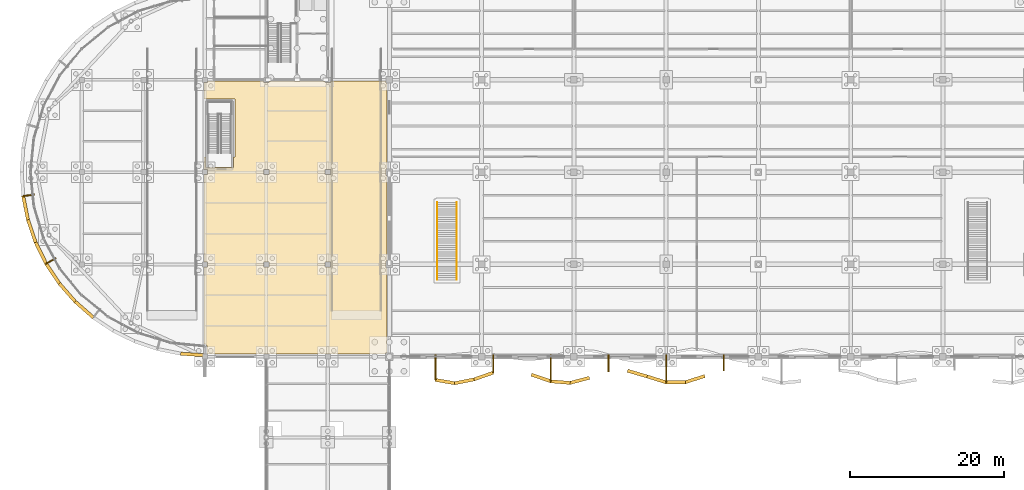
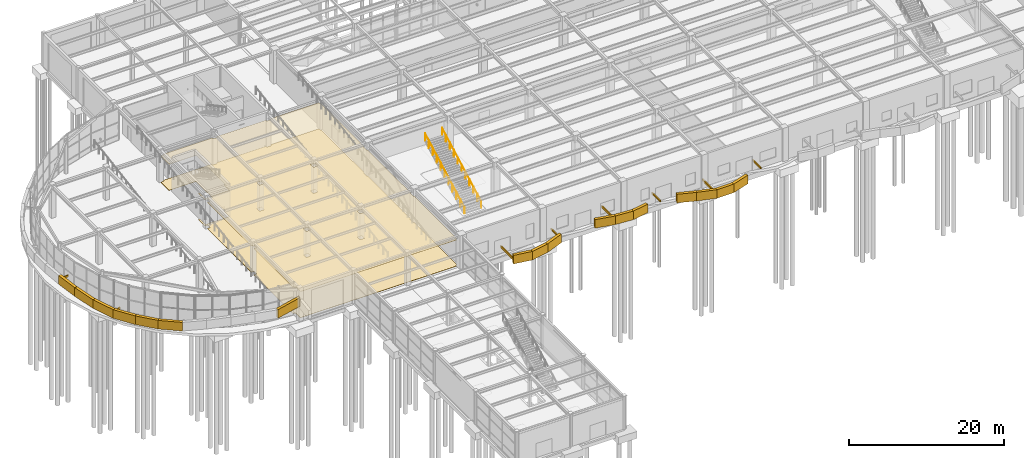
# One storey, part 74 of 85: 27 coverings, 2 railings.
"""IFC4 building model written with IfcOpenShell, lengths in metres."""

import ifcopenshell
import ifcopenshell.guid

model = None  # the IFC model being written
_history = None  # IfcOwnerHistory: only IFC2X3 demands one
_inside = {}  # id of a spatial element -> (the spatial element, [elements in it])
_under = {}  # id of a project, library or spatial element -> (it, [spatial elements below it])
_declared = {}  # id of a project -> (the project, [libraries it declares])
_typed = {}  # id of a type object -> (the type object, [elements of that type])
_made_of = {}  # id of a material, layer set ... -> (it, [elements and type objects made of it])


def new_model(schema):
    """Start an empty IFC model of exactly this schema.

    Asked for "IFC4X3", IfcOpenShell would pick the latest addendum, in which some entities
    have other attributes; the version numbers below select the first issue.
    IFC2X3 requires an IfcOwnerHistory on every rooted entity: one is made here for all.
    """
    global model, _history
    if schema == "IFC4X3":
        model = ifcopenshell.file(schema_version=(4, 3, 0, 0))
    else:
        model = ifcopenshell.file(schema=schema)
    _inside.clear()
    _under.clear()
    _declared.clear()
    _typed.clear()
    _made_of.clear()
    _history = None
    if model.schema == "IFC2X3":
        org = make("IfcOrganization", Name="unknown")
        user = make(
            "IfcPersonAndOrganization",
            ThePerson=make("IfcPerson", FamilyName="unknown"),
            TheOrganization=org,
        )
        app = make(
            "IfcApplication",
            ApplicationDeveloper=org,
            Version="unknown",
            ApplicationFullName="unknown",
            ApplicationIdentifier="unknown",
        )
        _history = make(
            "IfcOwnerHistory",
            OwningUser=user,
            OwningApplication=app,
            ChangeAction="ADDED",
            CreationDate=0,
        )
    return model


def make(cls, **values):
    """One entity of the class cls with the attributes given. An attribute that is None is left unset."""
    return model.create_entity(
        cls, **{name: value for name, value in values.items() if value is not None}
    )


def rooted(cls, **values):
    """An entity with a GlobalId (a new one), such as an element, a storey or a relation."""
    return make(cls, GlobalId=ifcopenshell.guid.new(), OwnerHistory=_history, **values)


def si_unit(unit_type, name, prefix=None):
    """IfcSIUnit, for example si_unit("LENGTHUNIT", "METRE", prefix="MILLI")."""
    return make("IfcSIUnit", UnitType=unit_type, Prefix=prefix, Name=name)


def assignment(units):
    """IfcUnitAssignment: the units of a project."""
    return None if units is None else make("IfcUnitAssignment", Units=units)


def point(xyz):
    """IfcCartesianPoint."""
    return None if xyz is None else make("IfcCartesianPoint", Coordinates=xyz)


def direction(xyz):
    """IfcDirection."""
    return None if xyz is None else make("IfcDirection", DirectionRatios=xyz)


def frame(location, z_axis=None, x_axis=None):
    """IfcAxis2Placement3D, a coordinate frame: its origin and axes. An axis left out is left unset."""
    return make(
        "IfcAxis2Placement3D",
        Location=point(location),
        Axis=direction(z_axis),
        RefDirection=direction(x_axis),
    )


def frame_2d(location, x_axis=None):
    """IfcAxis2Placement2D, a coordinate frame in the plane: its origin and x axis."""
    return make(
        "IfcAxis2Placement2D", Location=point(location), RefDirection=direction(x_axis)
    )


def origin():
    """The frame at (0, 0, 0) with its axes left unset."""
    return frame((0.0, 0.0, 0.0))


def origin_2d():
    """The frame at (0, 0) in the plane with its x axis left unset."""
    return frame_2d((0.0, 0.0))


def place(relative_to, where):
    """IfcLocalPlacement: puts the frame where relative to a parent placement (None: the world)."""
    return make(
        "IfcLocalPlacement", PlacementRelTo=relative_to, RelativePlacement=where
    )


def context(
    kind, dimensions, precision=None, world=None, true_north=None, identifier=None
):
    """IfcGeometricRepresentationContext, for example the 3D "Model" context."""
    return make(
        "IfcGeometricRepresentationContext",
        ContextIdentifier=identifier,
        ContextType=kind,
        CoordinateSpaceDimension=dimensions,
        Precision=precision,
        WorldCoordinateSystem=world,
        TrueNorth=true_north,
    )


def subcontext(parent, identifier, kind, view, scale=None):
    """IfcGeometricRepresentationSubContext, for example "Body" below "Model"."""
    return make(
        "IfcGeometricRepresentationSubContext",
        ContextIdentifier=identifier,
        ContextType=kind,
        ParentContext=parent,
        TargetScale=scale,
        TargetView=view,
    )


def project(units=None, contexts=None):
    """IfcProject with its units and contexts."""
    return rooted(
        "IfcProject",
        Name="project",
        RepresentationContexts=contexts,
        UnitsInContext=assignment(units),
    )


def spatial(cls, under=None, at=None, **own):
    """A site, building, storey or space (cls), placed at a placement, below another one or the project."""
    s = rooted(cls, ObjectPlacement=at, **own)
    if under is not None:
        _under.setdefault(under.id(), (under, []))[1].append(s)
    return s


def polyline(points):
    """IfcPolyline through the points."""
    return make("IfcPolyline", Points=[point(p) for p in points])


def profile(cls, at=None, kind="AREA", **sizes):
    """A parametric profile (cls). Its sizes go by their IFC names, for example OverallWidth=200.0."""
    return make(cls, ProfileType=kind, Position=at, **sizes)


def rectangle(**sizes):
    """IfcRectangleProfileDef."""
    return profile("IfcRectangleProfileDef", **sizes)


def circle(**sizes):
    """IfcCircleProfileDef."""
    return profile("IfcCircleProfileDef", **sizes)


def outline(outer, holes=None, kind="AREA"):
    """IfcArbitraryClosedProfileDef: a profile drawn as a closed curve; with holes, ...WithVoids."""
    if holes is None:
        return make("IfcArbitraryClosedProfileDef", ProfileType=kind, OuterCurve=outer)
    return make(
        "IfcArbitraryProfileDefWithVoids",
        ProfileType=kind,
        OuterCurve=outer,
        InnerCurves=holes,
    )


def extrude(swept, where, along, depth):
    """IfcExtrudedAreaSolid: the profile swept, set in the frame where, extruded along a direction by depth."""
    return make(
        "IfcExtrudedAreaSolid",
        SweptArea=swept,
        Position=where,
        ExtrudedDirection=direction(along),
        Depth=depth,
    )


def shape(context_of_items, identifier, shape_type, items):
    """IfcShapeRepresentation: the items that make up one representation, for example the "Body"."""
    return make(
        "IfcShapeRepresentation",
        ContextOfItems=context_of_items,
        RepresentationIdentifier=identifier,
        RepresentationType=shape_type,
        Items=items,
    )


def material(Name=None, Category=None):
    """IfcMaterial."""
    return make("IfcMaterial", Name=Name, Category=Category)


def layer(
    of_material, thickness, ventilated=None, Name=None, Category=None, Priority=None
):
    """IfcMaterialLayer: one layer of a wall or slab, of a material (None: an air gap)."""
    return make(
        "IfcMaterialLayer",
        Material=of_material,
        LayerThickness=thickness,
        IsVentilated=ventilated,
        Name=Name,
        Category=Category,
        Priority=Priority,
    )


def layer_set(layers, Name=None):
    """IfcMaterialLayerSet."""
    return make("IfcMaterialLayerSet", MaterialLayers=layers, LayerSetName=Name)


def made_of(thing, what):
    """Note that an element or type object is made of a material, layer set ...; save() writes the relation."""
    if what is not None:
        _made_of.setdefault(what.id(), (what, []))[1].append(thing)
    return thing


def type_object(cls, material=None, **own):
    """A type object (cls), such as IfcWallType, which elements share."""
    return made_of(rooted(cls, **own), material)


def element(
    cls,
    number,
    at=None,
    inside=None,
    cuts=None,
    type_object=None,
    material=None,
    context=None,
    identifier="Body",
    shape_type=None,
    held_by="IfcProductDefinitionShape",
    body=None,
    shapes=None,
    **own,
):
    """One element of the class cls, such as IfcWall. Its Tag is "e" and its number.

    at: its placement. inside: the storey or other place that contains it. cuts: it is an
    opening in that element (IfcRelVoidsElement). A single representation is given by context,
    identifier, shape_type and body (its items); several are given by shapes. held_by: the class
    of the entity that holds the representations. save() writes the other relations.
    """
    e = rooted(cls, Tag="e%d" % number, ObjectPlacement=at, **own)
    if body is not None:
        shapes = [shape(context, identifier, shape_type, body)]
    if shapes is not None:
        e.Representation = make(held_by, Representations=shapes)
    if inside is not None:
        _inside.setdefault(inside.id(), (inside, []))[1].append(e)
    if cuts is not None:
        rooted(
            "IfcRelVoidsElement", RelatingBuildingElement=cuts, RelatedOpeningElement=e
        )
    if type_object is not None:
        _typed.setdefault(type_object.id(), (type_object, []))[1].append(e)
    return made_of(e, material)


def aggregate(whole, parts):
    """IfcRelAggregates: a whole, such as a stair, and the parts it consists of."""
    return rooted("IfcRelAggregates", RelatingObject=whole, RelatedObjects=parts)


def save(model, path):
    """Write the relations noted so far, then the file.

    IfcRelAggregates (storeys below a building ...), IfcRelContainedInSpatialStructure (elements
    in a storey), IfcRelDefinesByType, IfcRelAssociatesMaterial and IfcRelDeclares: one each for
    every whole, place, type object, material and project.
    """
    for whole, parts in _under.values():
        aggregate(whole, parts)
    for where, things in _inside.values():
        rooted(
            "IfcRelContainedInSpatialStructure",
            RelatedElements=things,
            RelatingStructure=where,
        )
    for kind, things in _typed.values():
        rooted("IfcRelDefinesByType", RelatedObjects=things, RelatingType=kind)
    for what, things in _made_of.values():
        rooted("IfcRelAssociatesMaterial", RelatedObjects=things, RelatingMaterial=what)
    for by, libraries in _declared.values():
        rooted("IfcRelDeclares", RelatingContext=by, RelatedDefinitions=libraries)
    model.write(path)


model = new_model("IFC4")

# Units and contexts
model_context = context("Model", 3, precision=1e-05, world=origin(), true_north=direction((0.0, 1.0)))
body_context = subcontext(model_context, "Body", "Model", "MODEL_VIEW")
ifc_project = project(units=[si_unit("LENGTHUNIT", "METRE"), si_unit("AREAUNIT", "SQUARE_METRE"), si_unit("VOLUMEUNIT", "CUBIC_METRE"), si_unit("PLANEANGLEUNIT", "RADIAN"), si_unit("MASSUNIT", "GRAM", prefix="KILO")], contexts=[model_context])

# Site, building, storey
site_placement = place(None, origin())
site = spatial("IfcSite", under=ifc_project, at=site_placement, CompositionType="ELEMENT")
building_placement = place(site_placement, origin())
building = spatial("IfcBuilding", under=site, at=building_placement, Name="Keelwater Ferry Terminal", CompositionType="ELEMENT")
storey_placement = place(building_placement, origin())
storey = spatial("IfcBuildingStorey", under=building, at=storey_placement, Name="L00", CompositionType="ELEMENT", Elevation=0.0)

# Coverings
ifc_material_1 = material(Name="Perforated acoustic gypsum board ceiling", Category="gypsum")
ifc_layer_1 = layer(ifc_material_1, 0.044921875)
ifc_layer_set_1 = layer_set([ifc_layer_1], Name="Perforated acoustic gypsum board ceiling")
covering_type_1 = type_object("IfcCoveringType", Name="CL-AC Acoustic Baffle Ceiling", PredefinedType="CEILING", material=ifc_layer_set_1)
covering_1_placement = place(storey_placement, frame((0.0, 0.0, 4.10009765625)))
element("IfcCovering", 1, at=covering_1_placement, inside=storey, type_object=covering_type_1, Name="Ro-Pax Freight Marshalling Lanes Acoustic Ceiling", PredefinedType="CEILING", context=body_context, shape_type="SweptSolid", body=[
    extrude(outline(polyline([(31.6650390625, 77.87890625), (31.6650390625, 77.6650390625), (32.3349609375, 77.6650390625), (32.3349609375, 77.87890625), (32.3369140625, 77.8798828125), (32.344970703125, 77.8798828125), (39.655029296875, 77.8798828125), (39.6630859375, 77.8798828125), (39.6650390625, 77.87890625), (39.6650390625, 77.6650390625), (40.3349609375, 77.6650390625), (40.3349609375, 77.87890625), (40.3369140625, 77.8798828125), (40.344970703125, 77.8798828125), (47.554931640625, 77.8798828125), (47.56298828125, 77.8798828125), (47.56494140625, 77.87890625), (47.56494140625, 77.56494140625), (47.678955078125, 77.56494140625), (47.679931640625, 77.56298828125), (47.679931640625, 77.554931640625), (47.679931640625, 66.445068359375), (47.679931640625, 66.43701171875), (47.678955078125, 66.43505859375), (47.56494140625, 66.43505859375), (47.56494140625, 65.56494140625), (47.678955078125, 65.56494140625), (47.679931640625, 65.56298828125), (47.679931640625, 65.554931640625), (47.679931640625, 54.445068359375), (47.679931640625, 54.43701171875), (47.678955078125, 54.43505859375), (47.56494140625, 54.43505859375), (47.56494140625, 53.56494140625), (47.678955078125, 53.56494140625), (47.679931640625, 53.56298828125), (47.679931640625, 53.554931640625), (47.679931640625, 42.52001953125), (47.679931640625, 42.511962890625), (47.678955078125, 42.510009765625), (47.489990234375, 42.510009765625), (47.489990234375, 42.321044921875), (47.488037109375, 42.320068359375), (47.47998046875, 42.320068359375), (40.3349609375, 42.320068359375), (40.3349609375, 42.3349609375), (39.6650390625, 42.3349609375), (39.6650390625, 42.320068359375), (32.3349609375, 42.320068359375), (32.3349609375, 42.3349609375), (31.6650390625, 42.3349609375), (31.6650390625, 42.320068359375), (24.360107421875, 42.320068359375), (24.35205078125, 42.320068359375), (24.343994140625, 42.322021484375), (24.3369140625, 42.322998046875), (24.3349609375, 42.323974609375), (24.3349609375, 42.3349609375), (24.31396484375, 42.3349609375), (24.30908203125, 42.337890625), (24.302978515625, 42.343017578125), (24.298095703125, 42.34912109375), (24.29296875, 42.35595703125), (24.2890625, 42.362060546875), (24.285888671875, 42.368896484375), (24.282958984375, 42.376953125), (24.281982421875, 42.384033203125), (24.280029296875, 42.39208984375), (24.280029296875, 42.39990234375), (24.280029296875, 43.343994140625), (24.26708984375, 43.430908203125), (24.23193359375, 43.5048828125), (24.177001953125, 43.56591796875), (24.10498046875, 43.60888671875), (24.053955078125, 43.6240234375), (23.989990234375, 43.633056640625), (23.98193359375, 43.634033203125), (23.97509765625, 43.635986328125), (23.968017578125, 43.638916015625), (23.9609375, 43.64208984375), (23.9541015625, 43.64599609375), (23.947998046875, 43.65087890625), (23.943115234375, 43.656005859375), (23.93701171875, 43.662109375), (23.93310546875, 43.66796875), (23.928955078125, 43.675048828125), (23.926025390625, 43.681884765625), (23.923095703125, 43.68896484375), (23.9208984375, 43.697021484375), (23.919921875, 43.7041015625), (23.919921875, 43.7119140625), (23.919921875, 53.655029296875), (23.919921875, 53.6630859375), (23.9208984375, 53.6650390625), (24.3349609375, 53.6650390625), (24.3349609375, 54.3349609375), (23.9208984375, 54.3349609375), (23.919921875, 54.3369140625), (23.919921875, 54.344970703125), (23.919921875, 65.655029296875), (23.919921875, 65.6630859375), (23.9208984375, 65.6650390625), (24.3349609375, 65.6650390625), (24.3349609375, 66.3349609375), (23.9208984375, 66.3349609375), (23.919921875, 66.3369140625), (23.919921875, 66.344970703125), (23.919921875, 68.0), (24.179931640625, 68.0), (24.179931640625, 66.580078125), (27.719970703125, 66.580078125), (27.719970703125, 68.0), (27.93994140625, 68.0), (27.93994140625, 75.5400390625), (23.919921875, 75.5400390625), (23.919921875, 77.655029296875), (23.919921875, 77.6630859375), (23.9208984375, 77.6650390625), (24.3349609375, 77.6650390625), (24.3349609375, 77.87890625), (24.3369140625, 77.8798828125), (24.344970703125, 77.8798828125), (31.655029296875, 77.8798828125), (31.6630859375, 77.8798828125), (31.6650390625, 77.87890625)]), holes=[polyline([(32.3349609375, 54.3349609375), (31.6650390625, 54.3349609375), (31.6650390625, 53.6650390625), (32.3349609375, 53.6650390625), (32.3349609375, 54.3349609375)]), polyline([(31.6650390625, 66.3349609375), (31.6650390625, 65.6650390625), (32.3349609375, 65.6650390625), (32.3349609375, 66.3349609375), (31.6650390625, 66.3349609375)]), polyline([(40.3349609375, 54.3349609375), (39.6650390625, 54.3349609375), (39.6650390625, 53.6650390625), (40.3349609375, 53.6650390625), (40.3349609375, 54.3349609375)]), polyline([(40.3349609375, 66.3349609375), (39.6650390625, 66.3349609375), (39.6650390625, 65.6650390625), (40.3349609375, 65.6650390625), (40.3349609375, 66.3349609375)])]), origin(), (0.0, 0.0, 1.0), 0.044921875),
])
ifc_material_2 = material(Name="Polished mineral terrazzo tile", Category="stone")
ifc_layer_2 = layer(ifc_material_2, 0.030029296875)
ifc_layer_set_2 = layer_set([ifc_layer_2], Name="Polished mineral terrazzo tile")
covering_type_2 = type_object("IfcCoveringType", Name="FL-TZ Marine Terrazzo Flooring", PredefinedType="FLOORING", material=ifc_layer_set_2)
covering_2_placement = place(storey_placement, origin())
element("IfcCovering", 2, at=covering_2_placement, inside=storey, type_object=covering_type_2, Name="Ro-Pax Freight Marshalling Lanes Terrazzo Floor", PredefinedType="FLOORING", context=body_context, shape_type="SweptSolid", body=[
    extrude(outline(polyline([(31.6650390625, 77.87890625), (31.6650390625, 77.6650390625), (32.3349609375, 77.6650390625), (32.3349609375, 77.87890625), (32.3369140625, 77.8798828125), (32.344970703125, 77.8798828125), (39.655029296875, 77.8798828125), (39.6630859375, 77.8798828125), (39.6650390625, 77.87890625), (39.6650390625, 77.6650390625), (40.3349609375, 77.6650390625), (40.3349609375, 77.87890625), (40.3369140625, 77.8798828125), (40.344970703125, 77.8798828125), (47.554931640625, 77.8798828125), (47.56298828125, 77.8798828125), (47.56494140625, 77.87890625), (47.56494140625, 77.56494140625), (47.678955078125, 77.56494140625), (47.679931640625, 77.56298828125), (47.679931640625, 77.554931640625), (47.679931640625, 66.445068359375), (47.679931640625, 66.43701171875), (47.678955078125, 66.43505859375), (47.56494140625, 66.43505859375), (47.56494140625, 65.56494140625), (47.678955078125, 65.56494140625), (47.679931640625, 65.56298828125), (47.679931640625, 65.554931640625), (47.679931640625, 54.445068359375), (47.679931640625, 54.43701171875), (47.678955078125, 54.43505859375), (47.56494140625, 54.43505859375), (47.56494140625, 53.56494140625), (47.678955078125, 53.56494140625), (47.679931640625, 53.56298828125), (47.679931640625, 53.554931640625), (47.679931640625, 42.52001953125), (47.679931640625, 42.511962890625), (47.678955078125, 42.510009765625), (47.489990234375, 42.510009765625), (47.489990234375, 42.321044921875), (47.488037109375, 42.320068359375), (47.47998046875, 42.320068359375), (40.3349609375, 42.320068359375), (40.3349609375, 42.3349609375), (39.6650390625, 42.3349609375), (39.6650390625, 42.320068359375), (32.3349609375, 42.320068359375), (32.3349609375, 42.3349609375), (31.6650390625, 42.3349609375), (31.6650390625, 42.320068359375), (24.360107421875, 42.320068359375), (24.35205078125, 42.320068359375), (24.343994140625, 42.322021484375), (24.3369140625, 42.322998046875), (24.3349609375, 42.323974609375), (24.3349609375, 42.3349609375), (24.31396484375, 42.3349609375), (24.30908203125, 42.337890625), (24.302978515625, 42.343017578125), (24.298095703125, 42.34912109375), (24.29296875, 42.35595703125), (24.2890625, 42.362060546875), (24.285888671875, 42.368896484375), (24.282958984375, 42.376953125), (24.281982421875, 42.384033203125), (24.280029296875, 42.39208984375), (24.280029296875, 42.39990234375), (24.280029296875, 43.343994140625), (24.26708984375, 43.430908203125), (24.23193359375, 43.5048828125), (24.177001953125, 43.56591796875), (24.10498046875, 43.60888671875), (24.053955078125, 43.6240234375), (23.989990234375, 43.633056640625), (23.98193359375, 43.634033203125), (23.97509765625, 43.635986328125), (23.968017578125, 43.638916015625), (23.9609375, 43.64208984375), (23.9541015625, 43.64599609375), (23.947998046875, 43.65087890625), (23.943115234375, 43.656005859375), (23.93701171875, 43.662109375), (23.93310546875, 43.66796875), (23.928955078125, 43.675048828125), (23.926025390625, 43.681884765625), (23.923095703125, 43.68896484375), (23.9208984375, 43.697021484375), (23.919921875, 43.7041015625), (23.919921875, 43.7119140625), (23.919921875, 53.655029296875), (23.919921875, 53.6630859375), (23.9208984375, 53.6650390625), (24.3349609375, 53.6650390625), (24.3349609375, 54.3349609375), (23.9208984375, 54.3349609375), (23.919921875, 54.3369140625), (23.919921875, 54.344970703125), (23.919921875, 65.655029296875), (23.919921875, 65.6630859375), (23.9208984375, 65.6650390625), (24.3349609375, 65.6650390625), (24.3349609375, 66.3349609375), (23.9208984375, 66.3349609375), (23.919921875, 66.3369140625), (23.919921875, 66.344970703125), (23.919921875, 68.0), (24.179931640625, 68.0), (24.179931640625, 66.580078125), (27.719970703125, 66.580078125), (27.719970703125, 68.0), (27.93994140625, 68.0), (27.93994140625, 75.5400390625), (23.919921875, 75.5400390625), (23.919921875, 77.655029296875), (23.919921875, 77.6630859375), (23.9208984375, 77.6650390625), (24.3349609375, 77.6650390625), (24.3349609375, 77.87890625), (24.3369140625, 77.8798828125), (24.344970703125, 77.8798828125), (31.655029296875, 77.8798828125), (31.6630859375, 77.8798828125), (31.6650390625, 77.87890625)]), holes=[polyline([(32.3349609375, 54.3349609375), (31.6650390625, 54.3349609375), (31.6650390625, 53.6650390625), (32.3349609375, 53.6650390625), (32.3349609375, 54.3349609375)]), polyline([(31.6650390625, 66.3349609375), (31.6650390625, 65.6650390625), (32.3349609375, 65.6650390625), (32.3349609375, 66.3349609375), (31.6650390625, 66.3349609375)]), polyline([(40.3349609375, 54.3349609375), (39.6650390625, 54.3349609375), (39.6650390625, 53.6650390625), (40.3349609375, 53.6650390625), (40.3349609375, 54.3349609375)]), polyline([(40.3349609375, 66.3349609375), (39.6650390625, 66.3349609375), (39.6650390625, 65.6650390625), (40.3349609375, 65.6650390625), (40.3349609375, 66.3349609375)])]), origin(), (0.0, 0.0, 1.0), 0.030029296875),
])

# Railings
ifc_material_3 = material(Name="Painted Steel S355", Category="steel")
railing_type = type_object("IfcRailingType", Name="GR-115 Stair Well Guardrail", PredefinedType="GUARDRAIL", material=ifc_material_3)
for number, where, name in (
    (3, (56.760009765625, 52.0, 0.0), "Straight Stair GS-01 Flight Guard 115"),
    (4, (54.239990234375, 52.0, 0.0), "Straight Stair GS-01 Flight Guard 116"),
):
    element("IfcRailing", number, at=place(storey_placement, frame(where)), inside=storey, type_object=railing_type, Name=name, PredefinedType="GUARDRAIL", context=body_context, shape_type="SweptSolid", body=[
        extrude(circle(Radius=0.02392578125, at=origin_2d()), frame((0.0, 0.0, 1.1259765625), z_axis=(0.0, 0.881485048194, 0.472211933151), x_axis=(-1.0, 0.0, 0.0)), (0.0, 0.0, 1.0), 11.435302734375),
        extrude(circle(Radius=0.02099609375, at=origin_2d()), origin(), (0.0, 0.0, 1.0), 1.101806640625),
        extrude(circle(Radius=0.02099609375, at=origin_2d()), frame((0.0, 1.008056640625, 0.5400390625)), (0.0, 0.0, 1.0), 1.101806640625),
        extrude(circle(Radius=0.02099609375, at=origin_2d()), frame((0.0, 2.01611328125, 1.080078125)), (0.0, 0.0, 1.0), 1.101806640625),
        extrude(circle(Radius=0.02099609375, at=origin_2d()), frame((0.0, 3.02392578125, 1.619873046875)), (0.0, 0.0, 1.0), 1.101806640625),
        extrude(circle(Radius=0.02099609375, at=origin_2d()), frame((0.0, 4.031982421875, 2.159912109375)), (0.0, 0.0, 1.0), 1.101806640625),
        extrude(circle(Radius=0.02099609375, at=origin_2d()), frame((0.0, 5.0400390625, 2.699951171875)), (0.0, 0.0, 1.0), 1.101806640625),
        extrude(circle(Radius=0.02099609375, at=origin_2d()), frame((0.0, 6.048095703125, 3.239990234375)), (0.0, 0.0, 1.0), 1.101806640625),
        extrude(circle(Radius=0.02099609375, at=origin_2d()), frame((0.0, 7.05615234375, 3.780029296875)), (0.0, 0.0, 1.0), 1.101806640625),
        extrude(circle(Radius=0.02099609375, at=origin_2d()), frame((0.0, 8.06396484375, 4.31982421875)), (0.0, 0.0, 1.0), 1.101806640625),
        extrude(circle(Radius=0.02099609375, at=origin_2d()), frame((0.0, 9.072021484375, 4.85986328125)), (0.0, 0.0, 1.0), 1.101806640625),
        extrude(circle(Radius=0.02099609375, at=origin_2d()), frame((0.0, 10.080078125, 5.39990234375)), (0.0, 0.0, 1.0), 1.101806640625),
    ])

# Coverings
ifc_material_4 = material(Name="Matte white architectural aluminium fascia ribbon", Category="aluminium")
ifc_layer_3 = layer(ifc_material_4, 0.1201171875)
ifc_layer_set_3 = layer_set([ifc_layer_3], Name="Matte white architectural aluminium fascia ribbon")
covering_type_3 = type_object("IfcCoveringType", Name="RB-WHT Matte White Fascia Ribbon", PredefinedType="CLADDING", material=ifc_layer_set_3)
covering_3_placement = place(storey_placement, frame((0.37890625, 62.916015625, 1.04296875), z_axis=(0.0, 0.0, 1.0), x_axis=(0.195196875454, -0.98076407959, 0.0)))
element("IfcCovering", 5, at=covering_3_placement, inside=storey, type_object=covering_type_3, Name="Quay Plinth Wave Fascia Ribbon 239", PredefinedType="CLADDING", context=body_context, shape_type="SweptSolid", body=[
    extrude(outline(polyline([(0.0, 0.260009765625), (3.1669921875, 0.0), (3.1669921875, 1.35009765625), (0.0, 1.610107421875), (0.0, 0.260009765625)])), frame((0.0, 0.2099609375, 0.0), z_axis=(0.0, -1.0, 0.0), x_axis=(1.0, 0.0, 0.0)), (0.0, 0.0, 1.0), 0.419921875),
])
covering_4_placement = place(storey_placement, frame((0.384033203125, 62.89111328125, 1.837890625), z_axis=(0.0, 0.0, 1.0), x_axis=(0.991476053756, 0.130289043397, 0.0)))
element("IfcCovering", 6, at=covering_4_placement, inside=storey, type_object=covering_type_3, Name="Ribbon Horizontal Tie Bracket 243", PredefinedType="CLADDING", context=body_context, shape_type="SweptSolid", body=[
    extrude(rectangle(XDim=1.450439453125, YDim=0.159912109375, at=frame_2d((0.72509765625, 0.0))), origin(), (0.0, 0.0, 1.0), 0.280029296875),
])
covering_5_placement = place(storey_placement, frame((0.98388671875, 59.85888671875, 0.595947265625), z_axis=(0.0, 0.0, 1.0), x_axis=(0.321196336342, -0.94701262585, 0.0)))
element("IfcCovering", 7, at=covering_5_placement, inside=storey, type_object=covering_type_3, Name="Quay Plinth Wave Fascia Ribbon 250", PredefinedType="CLADDING", context=body_context, shape_type="SweptSolid", body=[
    extrude(outline(polyline([(0.0, 0.447021484375), (3.16650390625, 0.0), (3.16650390625, 1.35009765625), (0.0, 1.797119140625), (0.0, 0.447021484375)])), frame((0.0, 0.2099609375, 0.0), z_axis=(0.0, -1.0, 0.0), x_axis=(1.0, 0.0, 0.0)), (0.0, 0.0, 1.0), 0.419921875),
])
covering_6_placement = place(storey_placement, frame((1.98193359375, 56.906005859375, 0.25), z_axis=(0.0, 0.0, 1.0), x_axis=(0.442454846905, -0.896790782987, 0.0)))
element("IfcCovering", 8, at=covering_6_placement, inside=storey, type_object=covering_type_3, Name="Quay Plinth Wave Fascia Ribbon 254", PredefinedType="CLADDING", context=body_context, shape_type="SweptSolid", body=[
    extrude(outline(polyline([(0.0, 0.345947265625), (3.16455078125, 0.0), (3.16455078125, 1.35009765625), (0.0, 1.696044921875), (0.0, 0.345947265625)])), frame((0.0, 0.2099609375, 0.0), z_axis=(0.0, -1.0, 0.0), x_axis=(1.0, 0.0, 0.0)), (0.0, 0.0, 1.0), 0.419921875),
])
covering_7_placement = place(storey_placement, frame((3.35693359375, 54.111083984375, 0.25), z_axis=(0.0, 0.0, 1.0), x_axis=(0.55550058618, -0.831516144614, 0.0)))
element("IfcCovering", 9, at=covering_7_placement, inside=storey, type_object=covering_type_3, Name="Quay Plinth Wave Fascia Ribbon 258", PredefinedType="CLADDING", context=body_context, shape_type="SweptSolid", body=[
    extrude(outline(polyline([(0.0, 0.0), (3.16650390625, 0.0), (3.16650390625, 1.35009765625), (0.0, 1.35009765625), (0.0, 0.0)])), frame((0.0, 0.2099609375, 0.0), z_axis=(0.0, -1.0, 0.0), x_axis=(1.0, 0.0, 0.0)), (0.0, 0.0, 1.0), 0.419921875),
])
covering_8_placement = place(storey_placement, frame((3.37109375, 54.090087890625, 0.784912109375), z_axis=(0.0, 0.0, 1.0), x_axis=(0.866090267075, 0.499887636653, 0.0)))
element("IfcCovering", 10, at=covering_8_placement, inside=storey, type_object=covering_type_3, Name="Ribbon Horizontal Tie Bracket 262", PredefinedType="CLADDING", context=body_context, shape_type="SweptSolid", body=[
    extrude(rectangle(XDim=1.449951171875, YDim=0.159912109375, at=frame_2d((0.72509765625, 0.0))), origin(), (0.0, 0.0, 1.0), 0.280029296875),
])
covering_9_placement = place(storey_placement, frame((5.0859375, 51.51806640625, 0.25), z_axis=(0.0, 0.0, 1.0), x_axis=(0.65931776004, -0.75186441018, 0.0)))
element("IfcCovering", 11, at=covering_9_placement, inside=storey, type_object=covering_type_3, Name="Quay Plinth Wave Fascia Ribbon 269", PredefinedType="CLADDING", context=body_context, shape_type="SweptSolid", body=[
    extrude(outline(polyline([(0.0, 0.0), (3.16552734375, 0.0), (3.16552734375, 1.35009765625), (0.0, 1.35009765625), (0.0, 0.0)])), frame((0.0, 0.2099609375, 0.0), z_axis=(0.0, -1.0, 0.0), x_axis=(1.0, 0.0, 0.0)), (0.0, 0.0, 1.0), 0.419921875),
])
covering_10_placement = place(storey_placement, frame((7.137939453125, 49.173095703125, 0.25), z_axis=(0.0, 0.0, 1.0), x_axis=(0.75186441018, -0.65931776004, 0.0)))
element("IfcCovering", 12, at=covering_10_placement, inside=storey, type_object=covering_type_3, Name="Quay Plinth Wave Fascia Ribbon 273", PredefinedType="CLADDING", context=body_context, shape_type="SweptSolid", body=[
    extrude(outline(polyline([(0.0, 0.0), (3.16552734375, 0.114013671875), (3.16552734375, 1.464111328125), (0.0, 1.35009765625), (0.0, 0.0)])), frame((0.0, 0.2099609375, 0.0), z_axis=(0.0, -1.0, 0.0), x_axis=(1.0, 0.0, 0.0)), (0.0, 0.0, 1.0), 0.419921875),
])
covering_11_placement = place(storey_placement, frame((20.865966796875, 42.385986328125, 1.221923828125), z_axis=(0.0, 0.0, 1.0), x_axis=(0.997839082041, -0.065705147067, 0.0)))
element("IfcCovering", 13, at=covering_11_placement, inside=storey, type_object=covering_type_3, Name="Quay Plinth Wave Fascia Ribbon 307", PredefinedType="CLADDING", context=body_context, shape_type="SweptSolid", body=[
    extrude(outline(polyline([(0.0, 0.0), (3.165771484375, 0.926025390625), (3.165771484375, 2.276123046875), (0.0, 1.35009765625), (0.0, 0.0)])), frame((0.0, 0.2099609375, 0.0), z_axis=(0.0, -1.0, 0.0), x_axis=(1.0, 0.0, 0.0)), (0.0, 0.0, 1.0), 0.419921875),
])
covering_12_placement = place(storey_placement, frame((53.97509765625, 38.97900390625, 0.25), z_axis=(0.0, 0.0, 1.0), x_axis=(0.985956741922, -0.167000907359, 0.0)))
element("IfcCovering", 14, at=covering_12_placement, inside=storey, type_object=covering_type_3, Name="Quay Plinth Wave Fascia Ribbon 361", PredefinedType="CLADDING", context=body_context, shape_type="SweptSolid", body=[
    extrude(outline(polyline([(0.0, 0.0), (2.586181640625, 0.0), (2.586181640625, 1.35009765625), (0.0, 1.35009765625), (0.0, 0.0)])), frame((0.0, 0.2099609375, 0.0), z_axis=(0.0, -1.0, 0.0), x_axis=(1.0, 0.0, 0.0)), (0.0, 0.0, 1.0), 0.419921875),
])
covering_13_placement = place(storey_placement, frame((54.0, 38.97509765625, 0.784912109375), z_axis=(0.0, 0.0, 1.0), x_axis=(0.0, 1.0, 0.0)))
element("IfcCovering", 15, at=covering_13_placement, inside=storey, type_object=covering_type_3, Name="Ribbon Horizontal Tie Bracket 365", PredefinedType="CLADDING", context=body_context, shape_type="SweptSolid", body=[
    extrude(rectangle(XDim=3.27490234375, YDim=0.159912109375, at=frame_2d((1.637451171875, 0.0))), origin(), (0.0, 0.0, 1.0), 0.280029296875),
])
covering_14_placement = place(storey_placement, frame((56.47509765625, 38.5458984375, 0.25), z_axis=(0.0, 0.0, 1.0), x_axis=(0.981310966626, 0.192428653739, 0.0)))
element("IfcCovering", 16, at=covering_14_placement, inside=storey, type_object=covering_type_3, Name="Quay Plinth Wave Fascia Ribbon 373", PredefinedType="CLADDING", context=body_context, shape_type="SweptSolid", body=[
    extrude(outline(polyline([(0.0, 0.0), (2.598388671875, 0.0), (2.598388671875, 1.35009765625), (0.0, 1.35009765625), (0.0, 0.0)])), frame((0.0, 0.2099609375, 0.0), z_axis=(0.0, -1.0, 0.0), x_axis=(1.0, 0.0, 0.0)), (0.0, 0.0, 1.0), 0.419921875),
])
covering_15_placement = place(storey_placement, frame((58.97607421875, 39.032958984375, 0.25), z_axis=(0.0, 0.0, 1.0), x_axis=(0.943818870792, 0.330463219037, 0.0)))
element("IfcCovering", 17, at=covering_15_placement, inside=storey, type_object=covering_type_3, Name="Quay Plinth Wave Fascia Ribbon 377", PredefinedType="CLADDING", context=body_context, shape_type="SweptSolid", body=[
    extrude(outline(polyline([(0.0, 0.0), (2.699462890625, 0.093017578125), (2.699462890625, 1.443115234375), (0.0, 1.35009765625), (0.0, 0.0)])), frame((0.0, 0.2099609375, 0.0), z_axis=(0.0, -1.0, 0.0), x_axis=(1.0, 0.0, 0.0)), (0.0, 0.0, 1.0), 0.419921875),
])
covering_16_placement = place(storey_placement, frame((61.5, 39.9169921875, 0.8779296875), z_axis=(0.0, 0.0, 1.0), x_axis=(0.0, 1.0, 0.0)))
element("IfcCovering", 18, at=covering_16_placement, inside=storey, type_object=covering_type_3, Name="Ribbon Horizontal Tie Bracket 383", PredefinedType="CLADDING", context=body_context, shape_type="SweptSolid", body=[
    extrude(rectangle(XDim=2.3330078125, YDim=0.159912109375, at=frame_2d((1.16650390625, 0.0))), origin(), (0.0, 0.0, 1.0), 0.280029296875),
])
covering_17_placement = place(storey_placement, frame((66.47607421875, 39.6640625, 1.072998046875), z_axis=(0.0, 0.0, 1.0), x_axis=(0.946003140815, -0.324157457987, 0.0)))
element("IfcCovering", 19, at=covering_17_placement, inside=storey, type_object=covering_type_3, Name="Quay Plinth Wave Fascia Ribbon 391", PredefinedType="CLADDING", context=body_context, shape_type="SweptSolid", body=[
    extrude(outline(polyline([(0.0, 0.0), (2.693359375, 0.220947265625), (2.693359375, 1.571044921875), (0.0, 1.35009765625), (0.0, 0.0)])), frame((0.0, 0.2099609375, 0.0), z_axis=(0.0, -1.0, 0.0), x_axis=(1.0, 0.0, 0.0)), (0.0, 0.0, 1.0), 0.419921875),
])
covering_18_placement = place(storey_placement, frame((68.97509765625, 38.801025390625, 1.2939453125), z_axis=(0.0, 0.0, 1.0), x_axis=(0.9964929164, -0.083677162743, 0.0)))
element("IfcCovering", 20, at=covering_18_placement, inside=storey, type_object=covering_type_3, Name="Quay Plinth Wave Fascia Ribbon 395", PredefinedType="CLADDING", context=body_context, shape_type="SweptSolid", body=[
    extrude(outline(polyline([(0.0, 0.0), (2.558837890625, 0.010009765625), (2.558837890625, 1.360107421875), (0.0, 1.35009765625), (0.0, 0.0)])), frame((0.0, 0.2099609375, 0.0), z_axis=(0.0, -1.0, 0.0), x_axis=(1.0, 0.0, 0.0)), (0.0, 0.0, 1.0), 0.419921875),
])
covering_19_placement = place(storey_placement, frame((69.0, 38.799072265625, 1.8291015625), z_axis=(0.0, 0.0, 1.0), x_axis=(0.0, 1.0, 0.0)))
element("IfcCovering", 21, at=covering_19_placement, inside=storey, type_object=covering_type_3, Name="Ribbon Horizontal Tie Bracket 399", PredefinedType="CLADDING", context=body_context, shape_type="SweptSolid", body=[
    extrude(rectangle(XDim=3.450927734375, YDim=0.159912109375, at=frame_2d((1.7255859375, 0.0))), origin(), (0.0, 0.0, 1.0), 0.27978515625),
])
covering_20_placement = place(storey_placement, frame((71.47607421875, 38.5830078125, 1.10595703125), z_axis=(0.0, 0.0, 1.0), x_axis=(0.966647246159, 0.256111502073, 0.0)))
element("IfcCovering", 22, at=covering_20_placement, inside=storey, type_object=covering_type_3, Name="Quay Plinth Wave Fascia Ribbon 407", PredefinedType="CLADDING", context=body_context, shape_type="SweptSolid", body=[
    extrude(outline(polyline([(0.0, 0.197998046875), (2.6357421875, 0.0), (2.6357421875, 1.35009765625), (0.0, 1.548095703125), (0.0, 0.197998046875)])), frame((0.0, 0.2099609375, 0.0), z_axis=(0.0, -1.0, 0.0), x_axis=(1.0, 0.0, 0.0)), (0.0, 0.0, 1.0), 0.419921875),
])
covering_21_placement = place(storey_placement, frame((76.5, 40.073974609375, 1.2880859375), z_axis=(0.0, 0.0, 1.0), x_axis=(0.0, 1.0, 0.0)))
element("IfcCovering", 23, at=covering_21_placement, inside=storey, type_object=covering_type_3, Name="Ribbon Horizontal Tie Bracket 417", PredefinedType="CLADDING", context=body_context, shape_type="SweptSolid", body=[
    extrude(rectangle(XDim=2.176025390625, YDim=0.159912109375, at=frame_2d((1.087890625, 0.0))), origin(), (0.0, 0.0, 1.0), 0.280029296875),
])
covering_22_placement = place(storey_placement, frame((78.97607421875, 40.177001953125, 0.25), z_axis=(0.0, 0.0, 1.0), x_axis=(0.959599440687, -0.281369709515, 0.0)))
element("IfcCovering", 24, at=covering_22_placement, inside=storey, type_object=covering_type_3, Name="Quay Plinth Wave Fascia Ribbon 425", PredefinedType="CLADDING", context=body_context, shape_type="SweptSolid", body=[
    extrude(outline(polyline([(0.0, 0.126953125), (2.655029296875, 0.0), (2.655029296875, 1.35009765625), (0.0, 1.47705078125), (0.0, 0.126953125)])), frame((0.0, 0.2099609375, 0.0), z_axis=(0.0, -1.0, 0.0), x_axis=(1.0, 0.0, 0.0)), (0.0, 0.0, 1.0), 0.419921875),
])
covering_23_placement = place(storey_placement, frame((81.47607421875, 39.444091796875, 0.25), z_axis=(0.0, 0.0, 1.0), x_axis=(0.955445837969, -0.295166479648, 0.0)))
element("IfcCovering", 25, at=covering_23_placement, inside=storey, type_object=covering_type_3, Name="Quay Plinth Wave Fascia Ribbon 429", PredefinedType="CLADDING", context=body_context, shape_type="SweptSolid", body=[
    extrude(outline(polyline([(0.0, 0.0), (2.666748046875, 0.0), (2.666748046875, 1.35009765625), (0.0, 1.35009765625), (0.0, 0.0)])), frame((0.0, 0.2099609375, 0.0), z_axis=(0.0, -1.0, 0.0), x_axis=(1.0, 0.0, 0.0)), (0.0, 0.0, 1.0), 0.419921875),
])
covering_24_placement = place(storey_placement, frame((83.97509765625, 38.6640625, 0.25), z_axis=(0.0, 0.0, 1.0), x_axis=(0.999972112646, 0.007468194637, 0.0)))
element("IfcCovering", 26, at=covering_24_placement, inside=storey, type_object=covering_type_3, Name="Quay Plinth Wave Fascia Ribbon 433", PredefinedType="CLADDING", context=body_context, shape_type="SweptSolid", body=[
    extrude(outline(polyline([(0.0, 0.0), (2.5498046875, 0.0), (2.5498046875, 1.35009765625), (0.0, 1.35009765625), (0.0, 0.0)])), frame((0.0, 0.2099609375, 0.0), z_axis=(0.0, -1.0, 0.0), x_axis=(1.0, 0.0, 0.0)), (0.0, 0.0, 1.0), 0.419921875),
])
covering_25_placement = place(storey_placement, frame((84.0, 38.6640625, 0.784912109375), z_axis=(0.0, 0.0, 1.0), x_axis=(0.0, 1.0, 0.0)))
element("IfcCovering", 27, at=covering_25_placement, inside=storey, type_object=covering_type_3, Name="Ribbon Horizontal Tie Bracket 437", PredefinedType="CLADDING", context=body_context, shape_type="SweptSolid", body=[
    extrude(rectangle(XDim=3.5859375, YDim=0.159912109375, at=frame_2d((1.79296875, 0.0))), origin(), (0.0, 0.0, 1.0), 0.280029296875),
])
covering_26_placement = place(storey_placement, frame((86.47607421875, 38.675048828125, 0.25), z_axis=(0.0, 0.0, 1.0), x_axis=(0.953335214088, 0.30191384463, 0.0)))
element("IfcCovering", 28, at=covering_26_placement, inside=storey, type_object=covering_type_3, Name="Quay Plinth Wave Fascia Ribbon 445", PredefinedType="CLADDING", context=body_context, shape_type="SweptSolid", body=[
    extrude(outline(polyline([(0.0, 0.0), (2.672607421875, 0.02490234375), (2.672607421875, 1.375), (0.0, 1.35009765625), (0.0, 0.0)])), frame((0.0, 0.2099609375, 0.0), z_axis=(0.0, -1.0, 0.0), x_axis=(1.0, 0.0, 0.0)), (0.0, 0.0, 1.0), 0.419921875),
])
covering_27_placement = place(storey_placement, frame((91.5, 40.18505859375, 1.19091796875), z_axis=(0.0, 0.0, 1.0), x_axis=(0.0, 1.0, 0.0)))
element("IfcCovering", 29, at=covering_27_placement, inside=storey, type_object=covering_type_3, Name="Ribbon Horizontal Tie Bracket 455", PredefinedType="CLADDING", context=body_context, shape_type="SweptSolid", body=[
    extrude(rectangle(XDim=2.06494140625, YDim=0.159912109375, at=frame_2d((1.032470703125, 0.0))), origin(), (0.0, 0.0, 1.0), 0.280029296875),
])

save(model, "model.ifc")
